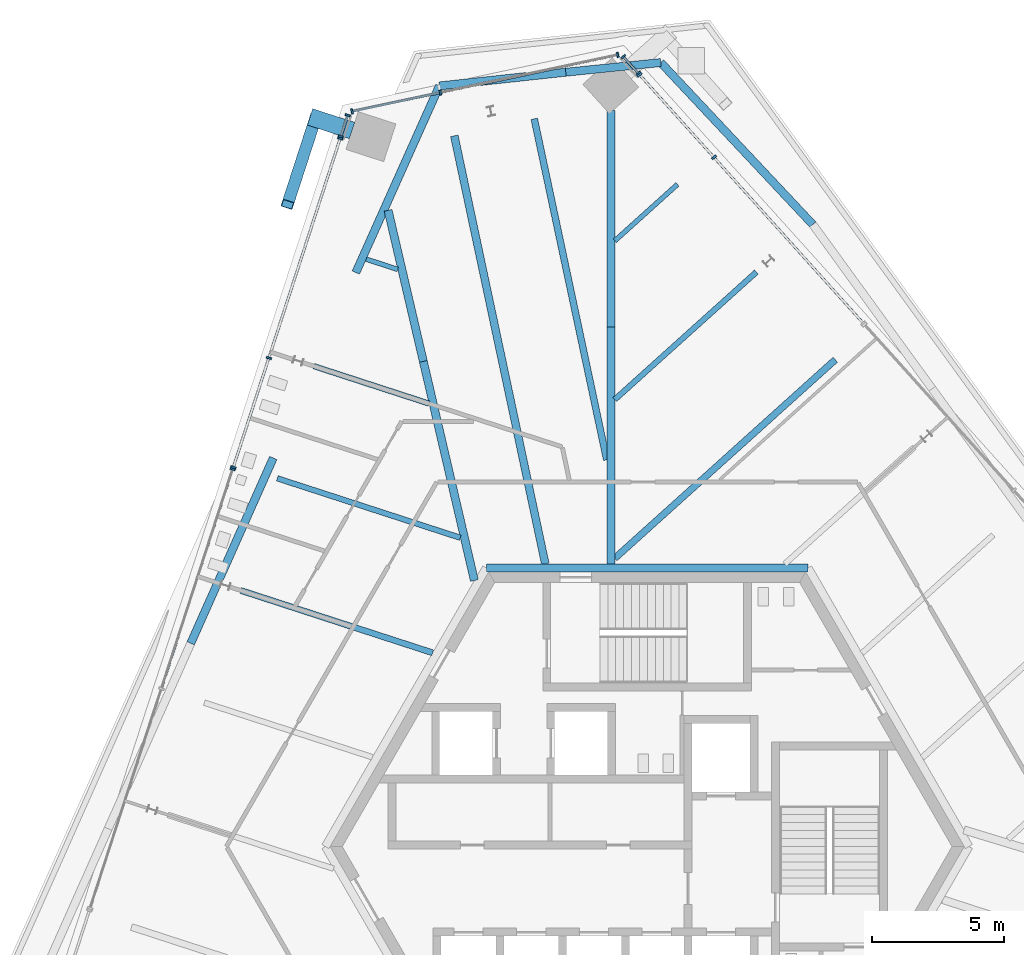
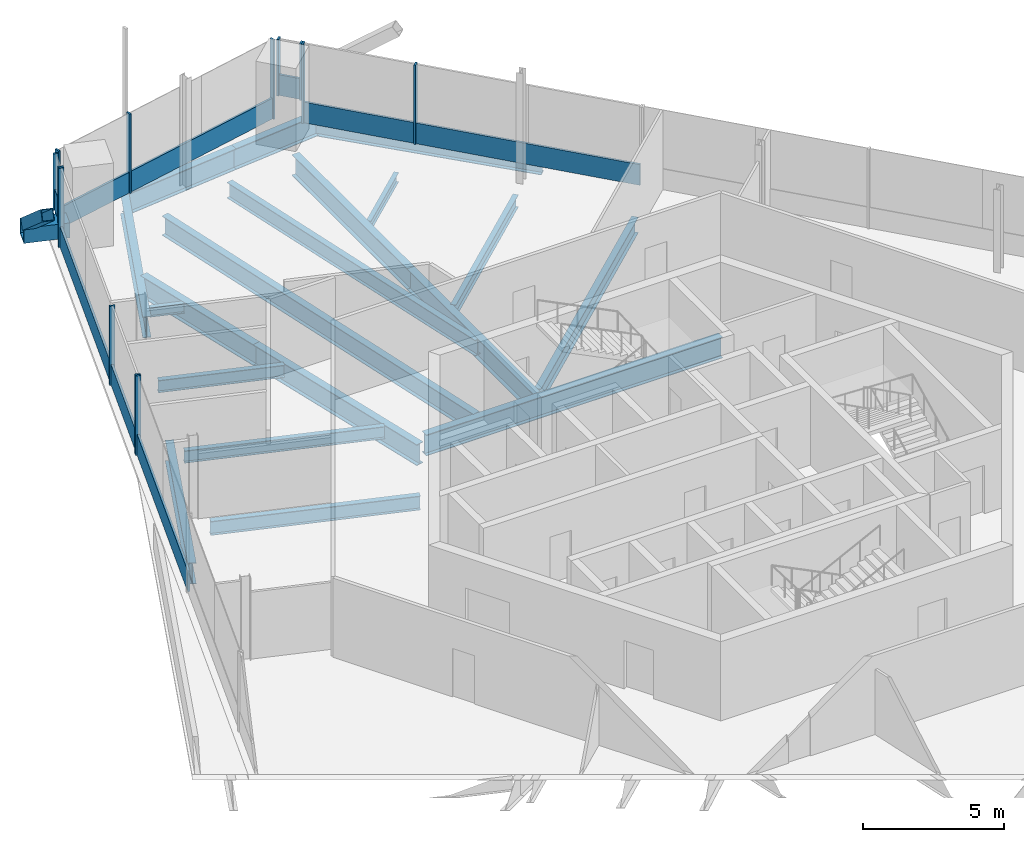
# One storey, part 8 of 20: 24 members, 19 beams, 6 elements without a shape of their own.
"""IFC4 building model written with IfcOpenShell, lengths in metres."""

from ifc_helpers import new_model, si_unit, direction, frame, origin, origin_2d, place, context, subcontext, project, spatial, rectangle, hollow_rectangle, i_section, extrude, source, transform, mapped, material, material_profile, profile_set, type_object, element, aggregate, save


model = new_model("IFC4")

# Units and contexts
model_context = context("Model", 3, precision=1e-05, world=origin(), true_north=direction((0.0, 1.0)))
body_context = subcontext(model_context, "Body", "Model", "MODEL_VIEW")
ifc_project = project(units=[si_unit("LENGTHUNIT", "METRE"), si_unit("AREAUNIT", "SQUARE_METRE"), si_unit("VOLUMEUNIT", "CUBIC_METRE"), si_unit("PLANEANGLEUNIT", "RADIAN"), si_unit("MASSUNIT", "GRAM", prefix="KILO")], contexts=[model_context])

# Site, building, storey
site_placement = place(None, origin())
site = spatial("IfcSite", under=ifc_project, at=site_placement, CompositionType="ELEMENT")
building_placement = place(site_placement, origin())
building = spatial("IfcBuilding", under=site, at=building_placement, Name="Triune Harvest Tower", CompositionType="ELEMENT")
storey_placement = place(building_placement, frame((0.0, 0.0, 259.5)))
storey = spatial("IfcBuildingStorey", under=building, at=storey_placement, Name="L68", CompositionType="ELEMENT", Elevation=259.5)

# Beams
ifc_material_1 = material(Name="Steel ASTM A992 Gr 50", Category="steel")
ifc_material_profile_1 = material_profile(ifc_material_1, i_section(OverallWidth=0.3046875, OverallDepth=0.914306640625, WebThickness=0.0166015625, FlangeThickness=0.02587890625, at=origin_2d()), Name="W36x160")
ifc_profile_set_1 = profile_set([ifc_material_profile_1], Name="Steel ASTM A992 Gr 50")
beam_type_1 = type_object("IfcBeamType", Name="HG-3 Hip girder W36x160", PredefinedType="BEAM", material=ifc_profile_set_1)
beam_1_placement = place(storey_placement, frame((-1.376708984375, 27.86083984375, -0.6171875), z_axis=(0.0, -1.0, 0.0), x_axis=(1.0, 0.0, 0.0)))
element("IfcBeam", 1, at=beam_1_placement, inside=storey, type_object=beam_type_1, Name="beam/L68/HG3", PredefinedType="BEAM", context=body_context, shape_type="SweptSolid", body=[
    extrude(i_section(OverallWidth=0.3046875, OverallDepth=0.914306640625, WebThickness=0.0166015625, FlangeThickness=0.02587890625, at=origin_2d()), origin(), (0.0, 0.0, 1.0), 8.19091796875),
])
beam_2_placement = place(storey_placement, frame((-1.376708984375, 19.669921875, -0.6171875), z_axis=(0.0, -1.0, 0.0), x_axis=(1.0, 0.0, 0.0)))
element("IfcBeam", 2, at=beam_2_placement, inside=storey, type_object=beam_type_1, Name="beam/L68/HG4", PredefinedType="BEAM", context=body_context, shape_type="SweptSolid", body=[
    extrude(i_section(OverallWidth=0.3046875, OverallDepth=0.914306640625, WebThickness=0.0166015625, FlangeThickness=0.02587890625, at=origin_2d()), origin(), (0.0, 0.0, 1.0), 8.972900390625),
])
beam_3_placement = place(storey_placement, frame((-9.80419921875, 24.077880859375, -0.6171875), z_axis=(0.227029850418, -0.973887800016, 0.0), x_axis=(0.973887800016, 0.227029850418, 0.0)))
element("IfcBeam", 3, at=beam_3_placement, inside=storey, type_object=beam_type_1, Name="beam/L68/HG5", PredefinedType="BEAM", context=body_context, shape_type="SweptSolid", body=[
    extrude(i_section(OverallWidth=0.3046875, OverallDepth=0.914306640625, WebThickness=0.0166015625, FlangeThickness=0.02587890625, at=origin_2d()), origin(), (0.0, 0.0, 1.0), 5.87255859375),
])
ifc_material_2 = material(Name="Steel ASTM A992 Gr 50", Category="steel")
ifc_material_profile_2 = material_profile(ifc_material_2, i_section(OverallWidth=0.3046875, OverallDepth=0.914306640625, WebThickness=0.0166015625, FlangeThickness=0.02587890625, at=origin_2d()), Name="W36x160")
ifc_profile_set_2 = profile_set([ifc_material_profile_2], Name="Steel ASTM A992 Gr 50")
beam_type_2 = type_object("IfcBeamType", Name="SB-1 Spandrel beam W36x160", PredefinedType="SPANDREL", material=ifc_profile_set_2)
beam_4_placement = place(storey_placement, frame((6.269287109375, 23.539306640625, -0.6171875), z_axis=(-0.684488501104, 0.729023656582, 0.0), x_axis=(-0.729023656582, -0.684488501104, 0.0)))
element("IfcBeam", 4, at=beam_4_placement, inside=storey, type_object=beam_type_2, Name="beam/L68/WB5", PredefinedType="SPANDREL", context=body_context, shape_type="SweptSolid", body=[
    extrude(i_section(OverallWidth=0.3046875, OverallDepth=0.914306640625, WebThickness=0.0166015625, FlangeThickness=0.02587890625, at=origin_2d()), origin(), (0.0, 0.0, 1.0), 8.409423828125),
])
beam_5_placement = place(storey_placement, frame((0.51318359375, 29.669921875, -0.6171875), z_axis=(-0.994860300316, -0.101257013852, 0.0), x_axis=(0.101257013852, -0.994860300316, 0.0)))
element("IfcBeam", 5, at=beam_5_placement, inside=storey, type_object=beam_type_2, Name="beam/L68/WB6", PredefinedType="SPANDREL", context=body_context, shape_type="SweptSolid", body=[
    extrude(i_section(OverallWidth=0.3046875, OverallDepth=0.914306640625, WebThickness=0.0166015625, FlangeThickness=0.02587890625, at=origin_2d()), origin(), (0.0, 0.0, 1.0), 3.61181640625),
])
beam_6_placement = place(storey_placement, frame((-3.080078125, 29.30419921875, -0.6171875), z_axis=(-0.994169912625, -0.107824787645, 0.0), x_axis=(0.107824787645, -0.994169912625, 0.0)))
element("IfcBeam", 6, at=beam_6_placement, inside=storey, type_object=beam_type_2, Name="beam/L68/WB7", PredefinedType="SPANDREL", context=body_context, shape_type="SweptSolid", body=[
    extrude(i_section(OverallWidth=0.3046875, OverallDepth=0.914306640625, WebThickness=0.0166015625, FlangeThickness=0.02587890625, at=origin_2d()), origin(), (0.0, 0.0, 1.0), 4.8115234375),
])

# Curtain wall, member
ifc_material_3 = material(Name="Aluminium bronze anodised", Category="aluminium")
curtain_wall_type_1 = type_object("IfcCurtainWallType", Name="CW-7 Tower stick curtain wall with insulated spandrel infill", PredefinedType="NOTDEFINED", material=ifc_material_3)
curtain_wall_1_placement = place(storey_placement, origin())
curtain_wall_1 = element("IfcCurtainWall", 7, at=curtain_wall_1_placement, inside=storey, type_object=curtain_wall_type_1, Name="CW-7 B7-F3 L68 run 101")
ifc_material_4 = material(Name="Aluminium bronze anodised", Category="aluminium")
ifc_material_profile_3 = material_profile(ifc_material_4, rectangle(XDim=0.090087890625, YDim=0.89990234375, at=origin_2d()), Name="TR-1 transom 90 x 900")
ifc_profile_set_3 = profile_set([ifc_material_profile_3], Name="Aluminium bronze anodised")
member_type_1 = type_object("IfcMemberType", Name="TR-1 transom 90 x 900", PredefinedType="USERDEFINED", material=ifc_profile_set_3)
member_1_placement = place(storey_placement, frame((-14.32861328125, 18.45458984375, 0.449951171875), z_axis=(-0.308987920763, -0.951065962393, 0.0), x_axis=(0.951065962393, -0.308987920763, 0.0)))
member_1 = element("IfcMember", 8, at=member_1_placement, type_object=member_type_1, Name="CW-7 transom B7-F3 101.2", ObjectType="TRANSOM", PredefinedType="USERDEFINED", context=body_context, shape_type="SweptSolid", body=[
    extrude(rectangle(XDim=0.090087890625, YDim=0.89990234375, at=origin_2d()), origin(), (0.0, 0.0, 1.0), 4.274658203125),
])

# Beams
ifc_material_5 = material(Name="Steel ASTM A992 Gr 50", Category="steel")
ifc_material_profile_4 = material_profile(ifc_material_5, i_section(OverallWidth=0.3046875, OverallDepth=0.914306640625, WebThickness=0.0166015625, FlangeThickness=0.02587890625, at=origin_2d()), Name="W36x160")
ifc_profile_set_4 = profile_set([ifc_material_profile_4], Name="Steel ASTM A992 Gr 50")
beam_type_3 = type_object("IfcBeamType", Name="CG-1 Core ring girder W36x160", PredefinedType="BEAM", material=ifc_profile_set_4)
shared_shape_1 = source(origin(), body_context, "Body", "SweptSolid", [
    extrude(i_section(OverallWidth=0.3046875, OverallDepth=0.914306640625, WebThickness=0.0166015625, FlangeThickness=0.02587890625, at=origin_2d()), origin(), (0.0, 0.0, 1.0), 12.17578125),
])
beam_7_placement = place(storey_placement, frame((6.087890625, 10.544677734375, -0.6171875), z_axis=(-1.0, 0.0, 0.0), x_axis=(0.0, -1.0, 0.0)))
element("IfcBeam", 9, at=beam_7_placement, inside=storey, type_object=beam_type_3, Name="beam/L68/CG2", PredefinedType="BEAM", context=body_context, shape_type="MappedRepresentation", body=[
    mapped(shared_shape_1, transform((0.0, 0.0, 0.0), scale=1.0)),
])
shared_shape_2 = source(origin(), body_context, "Body", "SweptSolid", [
    extrude(i_section(OverallWidth=0.3046875, OverallDepth=0.914306640625, WebThickness=0.0166015625, FlangeThickness=0.02587890625, at=origin_2d()), origin(), (0.0, 0.0, 1.0), 7.679443359375),
])
beam_8_placement = place(storey_placement, frame((-14.149658203125, 14.7060546875, -0.6171875), z_axis=(-0.406746028315, -0.913541279007, 0.0), x_axis=(0.913541279007, -0.406746028315, 0.0)))
element("IfcBeam", 10, at=beam_8_placement, inside=storey, type_object=beam_type_2, Name="beam/L68/WB9", PredefinedType="SPANDREL", context=body_context, shape_type="MappedRepresentation", body=[
    mapped(shared_shape_2, transform((0.0, 0.0, 0.0), scale=1.0)),
])
shared_shape_3 = source(origin(), body_context, "Body", "SweptSolid", [
    extrude(i_section(OverallWidth=0.3046875, OverallDepth=0.914306640625, WebThickness=0.0166015625, FlangeThickness=0.02587890625, at=origin_2d()), origin(), (0.0, 0.0, 1.0), 7.739501953125),
])
beam_9_placement = place(storey_placement, frame((-7.863525390625, 28.785400390625, -0.6171875), z_axis=(-0.408636497157, -0.912697218792, 0.0), x_axis=(0.912697218792, -0.408636497157, 0.0)))
element("IfcBeam", 11, at=beam_9_placement, inside=storey, type_object=beam_type_2, Name="beam/L68/WB8", PredefinedType="SPANDREL", context=body_context, shape_type="MappedRepresentation", body=[
    mapped(shared_shape_3, transform((0.0, 0.0, 0.0), scale=1.0)),
])
shared_shape_4 = source(origin(), body_context, "Body", "SweptSolid", [
    extrude(i_section(OverallWidth=0.3046875, OverallDepth=0.914306640625, WebThickness=0.0166015625, FlangeThickness=0.02587890625, at=origin_2d()), origin(), (0.0, 0.0, 1.0), 8.51171875),
])
beam_10_placement = place(storey_placement, frame((-8.470947265625, 18.358642578125, -0.6171875), z_axis=(0.227022878063, -0.973889425364, 0.0), x_axis=(0.973889425364, 0.227022878063, 0.0)))
element("IfcBeam", 12, at=beam_10_placement, inside=storey, type_object=beam_type_1, Name="beam/L68/HG6", PredefinedType="BEAM", context=body_context, shape_type="MappedRepresentation", body=[
    mapped(shared_shape_4, transform((0.0, 0.0, 0.0), scale=1.0)),
])
ifc_material_6 = material(Name="Steel ASTM A992 Gr 50", Category="steel")
ifc_material_profile_5 = material_profile(ifc_material_6, i_section(OverallWidth=0.180908203125, OverallDepth=0.41650390625, WebThickness=0.010986328125, FlangeThickness=0.01806640625, at=origin_2d()), Name="W16x57")
ifc_profile_set_5 = profile_set([ifc_material_profile_5], Name="Steel ASTM A992 Gr 50")
beam_type_4 = type_object("IfcBeamType", Name="JT-1 Floor joist W16x57", PredefinedType="JOIST", material=ifc_profile_set_5)
shared_shape_5 = source(origin(), body_context, "Body", "SweptSolid", [
    extrude(i_section(OverallWidth=0.180908203125, OverallDepth=0.41650390625, WebThickness=0.010986328125, FlangeThickness=0.01806640625, at=origin_2d()), origin(), (0.0, 0.0, 1.0), 1.253662109375),
])
beam_11_placement = place(storey_placement, frame((-10.6318359375, 22.2294921875, -0.368408203125), z_axis=(0.951051239427, -0.309033234433, 0.0), x_axis=(0.309033234433, 0.951051239427, 0.0)))
element("IfcBeam", 13, at=beam_11_placement, inside=storey, type_object=beam_type_4, Name="beam/L68/JT12", PredefinedType="JOIST", context=body_context, shape_type="MappedRepresentation", body=[
    mapped(shared_shape_5, transform((0.0, 0.0, 0.0), scale=1.0)),
])
ifc_material_7 = material(Name="Steel ASTM A992 Gr 50", Category="steel")
ifc_material_profile_6 = material_profile(ifc_material_7, i_section(OverallWidth=0.2099609375, OverallDepth=0.535888671875, WebThickness=0.010986328125, FlangeThickness=0.017333984375, at=origin_2d()), Name="W21x68")
ifc_profile_set_6 = profile_set([ifc_material_profile_6], Name="Steel ASTM A992 Gr 50")
beam_type_5 = type_object("IfcBeamType", Name="JT-2 Floor joist W21x68", PredefinedType="JOIST", material=ifc_profile_set_6)
shared_shape_6 = source(origin(), body_context, "Body", "SweptSolid", [
    extrude(i_section(OverallWidth=0.2099609375, OverallDepth=0.535888671875, WebThickness=0.010986328125, FlangeThickness=0.017333984375, at=origin_2d()), origin(), (0.0, 0.0, 1.0), 4.58740234375),
])
beam_12_placement = place(storey_placement, frame((-12.61865234375, 18.18115234375, -0.427978515625), z_axis=(0.95106652402, -0.308986192069, 0.0), x_axis=(0.308986192069, 0.95106652402, 0.0)))
element("IfcBeam", 14, at=beam_12_placement, inside=storey, type_object=beam_type_5, Name="beam/L68/JT13", PredefinedType="JOIST", context=body_context, shape_type="MappedRepresentation", body=[
    mapped(shared_shape_6, transform((0.0, 0.0, 0.0), scale=1.0)),
])
ifc_material_8 = material(Name="Steel ASTM A992 Gr 50", Category="steel")
ifc_material_profile_7 = material_profile(ifc_material_8, i_section(OverallWidth=0.253662109375, OverallDepth=0.683349609375, WebThickness=0.012451171875, FlangeThickness=0.01904296875, at=origin_2d()), Name="W27x94")
ifc_profile_set_7 = profile_set([ifc_material_profile_7], Name="Steel ASTM A992 Gr 50")
beam_type_6 = type_object("IfcBeamType", Name="JT-4 Floor joist W27x94", PredefinedType="JOIST", material=ifc_profile_set_7)
shared_shape_7 = source(origin(), body_context, "Body", "SweptSolid", [
    extrude(i_section(OverallWidth=0.253662109375, OverallDepth=0.683349609375, WebThickness=0.012451171875, FlangeThickness=0.01904296875, at=origin_2d()), origin(), (0.0, 0.0, 1.0), 11.22802734375),
])
beam_13_placement = place(storey_placement, frame((7.11962890625, 18.42431640625, -0.501708984375), z_axis=(-0.743146004272, -0.669129297172, 0.0), x_axis=(0.669129297172, -0.743146004272, 0.0)))
element("IfcBeam", 15, at=beam_13_placement, inside=storey, type_object=beam_type_6, Name="beam/L68/JT7", PredefinedType="JOIST", context=body_context, shape_type="MappedRepresentation", body=[
    mapped(shared_shape_7, transform((0.0, 0.0, 0.0), scale=1.0)),
])
shared_shape_8 = source(origin(), body_context, "Body", "SweptSolid", [
    extrude(i_section(OverallWidth=0.2099609375, OverallDepth=0.535888671875, WebThickness=0.010986328125, FlangeThickness=0.017333984375, at=origin_2d()), origin(), (0.0, 0.0, 1.0), 7.208740234375),
])
beam_14_placement = place(storey_placement, frame((4.1328125, 21.74169921875, -0.427978515625), z_axis=(-0.743154356454, -0.669120020985, 0.0), x_axis=(0.669120020985, -0.743154356454, 0.0)))
element("IfcBeam", 16, at=beam_14_placement, inside=storey, type_object=beam_type_5, Name="beam/L68/JT8", PredefinedType="JOIST", context=body_context, shape_type="MappedRepresentation", body=[
    mapped(shared_shape_8, transform((0.0, 0.0, 0.0), scale=1.0)),
])
shared_shape_9 = source(origin(), body_context, "Body", "SweptSolid", [
    extrude(i_section(OverallWidth=0.180908203125, OverallDepth=0.41650390625, WebThickness=0.010986328125, FlangeThickness=0.01806640625, at=origin_2d()), origin(), (0.0, 0.0, 1.0), 3.189208984375),
])
beam_15_placement = place(storey_placement, frame((1.145751953125, 25.05908203125, -0.368408203125), z_axis=(-0.74314948703, -0.669125429144, 0.0), x_axis=(0.669125429144, -0.74314948703, 0.0)))
element("IfcBeam", 17, at=beam_15_placement, inside=storey, type_object=beam_type_4, Name="beam/L68/JT9", PredefinedType="JOIST", context=body_context, shape_type="MappedRepresentation", body=[
    mapped(shared_shape_9, transform((0.0, 0.0, 0.0), scale=1.0)),
])
shared_shape_10 = source(origin(), body_context, "Body", "SweptSolid", [
    extrude(i_section(OverallWidth=0.253662109375, OverallDepth=0.683349609375, WebThickness=0.012451171875, FlangeThickness=0.01904296875, at=origin_2d()), origin(), (0.0, 0.0, 1.0), 13.1953125),
])
beam_16_placement = place(storey_placement, frame((-4.272705078125, 27.540283203125, -0.501708984375), z_axis=(0.207907659199, -0.978148457672, 0.0), x_axis=(0.978148457672, 0.207907659199, 0.0)))
element("IfcBeam", 18, at=beam_16_placement, inside=storey, type_object=beam_type_6, Name="beam/L68/JT10", PredefinedType="JOIST", context=body_context, shape_type="MappedRepresentation", body=[
    mapped(shared_shape_10, transform((0.0, 0.0, 0.0), scale=1.0)),
])
ifc_material_9 = material(Name="Steel ASTM A992 Gr 50", Category="steel")
ifc_material_profile_8 = material_profile(ifc_material_9, i_section(OverallWidth=0.2919921875, OverallDepth=0.8408203125, WebThickness=0.0146484375, FlangeThickness=0.021728515625, at=origin_2d()), Name="W33x130")
ifc_profile_set_8 = profile_set([ifc_material_profile_8], Name="Steel ASTM A992 Gr 50")
beam_type_7 = type_object("IfcBeamType", Name="JT-6 Floor joist W33x130", PredefinedType="JOIST", material=ifc_profile_set_8)
shared_shape_11 = source(origin(), body_context, "Body", "SweptSolid", [
    extrude(i_section(OverallWidth=0.2919921875, OverallDepth=0.8408203125, WebThickness=0.0146484375, FlangeThickness=0.021728515625, at=origin_2d()), origin(), (0.0, 0.0, 1.0), 16.56201171875),
])
beam_17_placement = place(storey_placement, frame((-7.29833984375, 26.897216796875, -0.580322265625), z_axis=(0.207906004109, -0.978148809464, 0.0), x_axis=(0.978148809464, 0.207906004109, 0.0)))
element("IfcBeam", 19, at=beam_17_placement, inside=storey, type_object=beam_type_7, Name="beam/L68/JT11", PredefinedType="JOIST", context=body_context, shape_type="MappedRepresentation", body=[
    mapped(shared_shape_11, transform((0.0, 0.0, 0.0), scale=1.0)),
])
shared_shape_12 = source(origin(), body_context, "Body", "SweptSolid", [
    extrude(i_section(OverallWidth=0.2099609375, OverallDepth=0.535888671875, WebThickness=0.010986328125, FlangeThickness=0.017333984375, at=origin_2d()), origin(), (0.0, 0.0, 1.0), 7.28271484375),
])
beam_18_placement = place(storey_placement, frame((-13.998046875, 13.935791015625, -0.427978515625), z_axis=(0.951056238285, -0.30901785, 0.0), x_axis=(0.30901785, 0.951056238285, 0.0)))
element("IfcBeam", 20, at=beam_18_placement, inside=storey, type_object=beam_type_5, Name="beam/L68/JT14", PredefinedType="JOIST", context=body_context, shape_type="MappedRepresentation", body=[
    mapped(shared_shape_12, transform((0.0, 0.0, 0.0), scale=1.0)),
])
ifc_material_10 = material(Name="Steel ASTM A992 Gr 50", Category="steel")
ifc_material_profile_9 = material_profile(ifc_material_10, i_section(OverallWidth=0.22900390625, OverallDepth=0.612060546875, WebThickness=0.011962890625, FlangeThickness=0.01953125, at=origin_2d()), Name="W24x84")
ifc_profile_set_9 = profile_set([ifc_material_profile_9], Name="Steel ASTM A992 Gr 50")
beam_type_8 = type_object("IfcBeamType", Name="JT-3 Floor joist W24x84", PredefinedType="JOIST", material=ifc_profile_set_9)
shared_shape_13 = source(origin(), body_context, "Body", "SweptSolid", [
    extrude(i_section(OverallWidth=0.22900390625, OverallDepth=0.612060546875, WebThickness=0.011962890625, FlangeThickness=0.01953125, at=origin_2d()), origin(), (0.0, 0.0, 1.0), 7.632080078125),
])
beam_19_placement = place(storey_placement, frame((-15.37744140625, 9.690185546875, -0.466064453125), z_axis=(0.951058278911, -0.30901156955, 0.0), x_axis=(0.30901156955, 0.951058278911, 0.0)))
element("IfcBeam", 21, at=beam_19_placement, inside=storey, type_object=beam_type_8, Name="beam/L68/JT15", PredefinedType="JOIST", context=body_context, shape_type="MappedRepresentation", body=[
    mapped(shared_shape_13, transform((0.0, 0.0, 0.0), scale=1.0)),
])

# Members
ifc_material_11 = material(Name="Steel ASTM A572 Gr 50", Category="steel")
ifc_material_profile_10 = material_profile(ifc_material_11, hollow_rectangle(XDim=0.64990234375, YDim=0.64990234375, WallThickness=0.070068359375, at=origin_2d()), Name="Box 650x650x70")
ifc_profile_set_10 = profile_set([ifc_material_profile_10], Name="Steel ASTM A572 Gr 50")
member_type_2 = type_object("IfcMemberType", Name="BS-1 Brace stub Box 650x650x70", PredefinedType="STRUT", material=ifc_profile_set_10)
shared_shape_14 = source(origin(), body_context, "Body", "SweptSolid", [
    extrude(hollow_rectangle(XDim=0.64990234375, YDim=0.64990234375, WallThickness=0.070068359375, at=origin_2d()), origin(), (0.0, 0.0, 1.0), 1.673095703125),
])
member_2_placement = place(storey_placement, frame((-11.16748046875, 27.09716796875, 0.60009765625), z_axis=(-0.951035141144, 0.309082772586, 0.0), x_axis=(-0.309082772586, -0.951035141144, 0.0)))
element("IfcMember", 22, at=member_2_placement, inside=storey, type_object=member_type_2, Name="brace/B7-F3/stub1", PredefinedType="STRUT", context=body_context, shape_type="MappedRepresentation", body=[
    mapped(shared_shape_14, transform((0.0, 0.0, 0.0), scale=1.0)),
])
ifc_material_12 = material(Name="Steel ASTM A572 Gr 50", Category="steel")
ifc_material_profile_11 = material_profile(ifc_material_12, hollow_rectangle(XDim=0.449951171875, YDim=0.449951171875, WallThickness=0.02490234375, at=origin_2d()), Name="Box 450x450x25")
ifc_profile_set_11 = profile_set([ifc_material_profile_11], Name="Steel ASTM A572 Gr 50")
member_type_3 = type_object("IfcMemberType", Name="BR-4 Brace Box 450x450x25", PredefinedType="BRACE", material=ifc_profile_set_11)
shared_shape_15 = source(origin(), body_context, "Body", "SweptSolid", [
    extrude(hollow_rectangle(XDim=0.449951171875, YDim=0.449951171875, WallThickness=0.02490234375, at=origin_2d()), origin(), (0.0, 0.0, 1.0), 4.358154296875),
])
member_3_placement = place(storey_placement, frame((-12.556396484375, 27.548583984375, 0.889892578125), z_axis=(-0.24200574583, -0.744783886763, 0.621876338996), x_axis=(0.951052466278, -0.309029458768, 0.0)))
element("IfcMember", 23, at=member_3_placement, inside=storey, type_object=member_type_3, Name="brace/B7-F3/d1/1", PredefinedType="BRACE", context=body_context, shape_type="MappedRepresentation", body=[
    mapped(shared_shape_15, transform((0.0, 0.0, 0.0), scale=1.0)),
])

# Curtain wall, members
ifc_material_13 = material(Name="Aluminium bronze anodised", Category="aluminium")
curtain_wall_type_2 = type_object("IfcCurtainWallType", Name="CW-1 Tower stick curtain wall", PredefinedType="NOTDEFINED", material=ifc_material_13)
curtain_wall_2_placement = place(storey_placement, origin())
curtain_wall_2 = element("IfcCurtainWall", 24, at=curtain_wall_2_placement, inside=storey, type_object=curtain_wall_type_2, Name="CW-1 B7-F1 L68 run 201")
ifc_material_14 = material(Name="Aluminium bronze anodised", Category="aluminium")
ifc_material_profile_12 = material_profile(ifc_material_14, rectangle(XDim=0.199951171875, YDim=0.074951171875, at=origin_2d()), Name="MU-1 mullion 75 x 200")
ifc_profile_set_12 = profile_set([ifc_material_profile_12], Name="Aluminium bronze anodised")
member_type_4 = type_object("IfcMemberType", Name="MU-1 mullion 75 x 200", PredefinedType="MULLION", material=ifc_profile_set_12)
shared_shape_16 = source(origin(), body_context, "Body", "SweptSolid", [
    extrude(rectangle(XDim=0.199951171875, YDim=0.074951171875, at=origin_2d()), origin(), (0.0, 0.0, 1.0), 2.454833984375),
])
member_4_placement = place(storey_placement, frame((-0.33740234375, 29.262939453125, 0.985107421875), z_axis=(0.0, 0.0, 1.0), x_axis=(-0.743132293862, -0.669144523866, 0.0)))
member_4 = element("IfcMember", 25, at=member_4_placement, type_object=member_type_4, Name="CW-1 mullion B7-F1 201.1", PredefinedType="MULLION", context=body_context, shape_type="MappedRepresentation", body=[
    mapped(shared_shape_16, transform((0.0, 0.0, 0.0), scale=1.0)),
])
member_5_placement = place(storey_placement, frame((-0.904052734375, 29.892333984375, 0.985107421875), z_axis=(0.0, 0.0, 1.0), x_axis=(-0.743132293862, -0.669144523866, 0.0)))
member_5 = element("IfcMember", 26, at=member_5_placement, type_object=member_type_4, Name="CW-1 mullion B7-F1 201.2", PredefinedType="MULLION", context=body_context, shape_type="MappedRepresentation", body=[
    mapped(shared_shape_16, transform((0.0, 0.0, 0.0), scale=1.0)),
])

curtain_wall_3_placement = place(storey_placement, origin())
curtain_wall_3 = element("IfcCurtainWall", 27, at=curtain_wall_3_placement, inside=storey, type_object=curtain_wall_type_2, Name="CW-1 B7-F3 L68 run 1")
member_6_placement = place(storey_placement, frame((-11.332275390625, 27.67578125, 0.985107421875), z_axis=(0.0, 0.0, 1.0), x_axis=(0.951042837496, -0.309059090221, 0.0)))
member_6 = element("IfcMember", 28, at=member_6_placement, type_object=member_type_4, Name="CW-1 mullion B7-F3 1.1", PredefinedType="MULLION", context=body_context, shape_type="MappedRepresentation", body=[
    mapped(shared_shape_16, transform((0.0, 0.0, 0.0), scale=1.0)),
])
member_7_placement = place(storey_placement, frame((-11.593994140625, 26.870361328125, 0.985107421875), z_axis=(0.0, 0.0, 1.0), x_axis=(0.951042837496, -0.309059090221, 0.0)))
member_7 = element("IfcMember", 29, at=member_7_placement, type_object=member_type_4, Name="CW-1 mullion B7-F3 1.2", PredefinedType="MULLION", context=body_context, shape_type="MappedRepresentation", body=[
    mapped(shared_shape_16, transform((0.0, 0.0, 0.0), scale=1.0)),
])

curtain_wall_4_placement = place(storey_placement, origin())
curtain_wall_4 = element("IfcCurtainWall", 30, at=curtain_wall_4_placement, inside=storey, type_object=curtain_wall_type_1, Name="CW-7 B7-F1 L68 run 2101")
shared_shape_17 = source(origin(), body_context, "Body", "SweptSolid", [
    extrude(rectangle(XDim=0.199951171875, YDim=0.074951171875, at=origin_2d()), origin(), (0.0, 0.0, 1.0), 3.43994140625),
])
member_8_placement = place(storey_placement, frame((2.525146484375, 26.08349609375, 0.0), z_axis=(0.0, 0.0, 1.0), x_axis=(-0.743143654341, -0.669131907035, 0.0)))
member_8 = element("IfcMember", 31, at=member_8_placement, type_object=member_type_4, Name="CW-7 mullion B7-F1 2101.3", PredefinedType="MULLION", context=body_context, shape_type="MappedRepresentation", body=[
    mapped(shared_shape_17, transform((0.0, 0.0, 0.0), scale=1.0)),
])
member_9_placement = place(storey_placement, frame((-0.287353515625, 29.207275390625, 0.0), z_axis=(0.0, 0.0, 1.0), x_axis=(-0.743143654341, -0.669131907035, 0.0)))
member_9 = element("IfcMember", 32, at=member_9_placement, type_object=member_type_4, Name="CW-7 mullion B7-F1 2101.4", PredefinedType="MULLION", context=body_context, shape_type="MappedRepresentation", body=[
    mapped(shared_shape_17, transform((0.0, 0.0, 0.0), scale=1.0)),
])

curtain_wall_5_placement = place(storey_placement, origin())
curtain_wall_5 = element("IfcCurtainWall", 33, at=curtain_wall_5_placement, inside=storey, type_object=curtain_wall_type_2, Name="CW-1 B7-F2 L68 run 1")
member_10_placement = place(storey_placement, frame((-1.114013671875, 29.96044921875, 0.0), z_axis=(0.0, 0.0, 1.0), x_axis=(0.207904739307, -0.978149078297, 0.0)))
member_10 = element("IfcMember", 34, at=member_10_placement, type_object=member_type_4, Name="CW-1 mullion B7-F2 1.1", PredefinedType="MULLION", context=body_context, shape_type="MappedRepresentation", body=[
    mapped(shared_shape_17, transform((0.0, 0.0, 0.0), scale=1.0)),
])
member_11_placement = place(storey_placement, frame((-7.8291015625, 28.533203125, 0.0), z_axis=(0.0, 0.0, 1.0), x_axis=(0.207904739307, -0.978149078297, 0.0)))
member_11 = element("IfcMember", 35, at=member_11_placement, type_object=member_type_4, Name="CW-1 mullion B7-F2 1.3", PredefinedType="MULLION", context=body_context, shape_type="MappedRepresentation", body=[
    mapped(shared_shape_17, transform((0.0, 0.0, 0.0), scale=1.0)),
])
member_12_placement = place(storey_placement, frame((-11.168212890625, 27.823486328125, 0.0), z_axis=(0.0, 0.0, 1.0), x_axis=(0.207904739307, -0.978149078297, 0.0)))
member_12 = element("IfcMember", 36, at=member_12_placement, type_object=member_type_4, Name="CW-1 mullion B7-F2 1.4", PredefinedType="MULLION", context=body_context, shape_type="MappedRepresentation", body=[
    mapped(shared_shape_17, transform((0.0, 0.0, 0.0), scale=1.0)),
])

# Member
member_13_placement = place(storey_placement, frame((-11.6171875, 26.799072265625, 0.0), z_axis=(0.0, 0.0, 1.0), x_axis=(0.951055508146, -0.309020097121, 0.0)))
member_13 = element("IfcMember", 37, at=member_13_placement, type_object=member_type_4, Name="CW-7 mullion B7-F3 101.1", PredefinedType="MULLION", context=body_context, shape_type="MappedRepresentation", body=[
    mapped(shared_shape_17, transform((0.0, 0.0, 0.0), scale=1.0)),
])

member_14_placement = place(storey_placement, frame((-14.31689453125, 18.490234375, 0.0), z_axis=(0.0, 0.0, 1.0), x_axis=(0.951055508146, -0.309020097121, 0.0)))
member_14 = element("IfcMember", 38, at=member_14_placement, type_object=member_type_4, Name="CW-7 mullion B7-F3 101.3", PredefinedType="MULLION", context=body_context, shape_type="MappedRepresentation", body=[
    mapped(shared_shape_17, transform((0.0, 0.0, 0.0), scale=1.0)),
])

member_15_placement = place(storey_placement, frame((-15.6611328125, 14.353515625, 0.0), z_axis=(0.0, 0.0, 1.0), x_axis=(0.951055508146, -0.309020097121, 0.0)))
member_15 = element("IfcMember", 39, at=member_15_placement, type_object=member_type_4, Name="CW-7 mullion B7-F3 101.4", PredefinedType="MULLION", context=body_context, shape_type="MappedRepresentation", body=[
    mapped(shared_shape_17, transform((0.0, 0.0, 0.0), scale=1.0)),
])

# Curtain wall, member
curtain_wall_6_placement = place(storey_placement, origin())
curtain_wall_6 = element("IfcCurtainWall", 40, at=curtain_wall_6_placement, inside=storey, type_object=curtain_wall_type_2, Name="CW-1 B7-F3 L68 run 1101")
member_16_placement = place(storey_placement, frame((-15.68408203125, 14.2822265625, 0.0), z_axis=(0.0, 0.0, 1.0), x_axis=(0.951057350241, -0.309014427743, 0.0)))
member_16 = element("IfcMember", 41, at=member_16_placement, type_object=member_type_4, Name="CW-1 mullion B7-F3 1101.1", PredefinedType="MULLION", context=body_context, shape_type="MappedRepresentation", body=[
    mapped(shared_shape_17, transform((0.0, 0.0, 0.0), scale=1.0)),
])

# Member
shared_shape_18 = source(origin(), body_context, "Body", "SweptSolid", [
    extrude(rectangle(XDim=0.090087890625, YDim=0.89990234375, at=origin_2d()), origin(), (0.0, 0.0, 1.0), 8.368896484375),
])
member_17_placement = place(storey_placement, frame((8.150390625, 19.83642578125, 0.449951171875), z_axis=(-0.669148446738, 0.74312876154, 0.0), x_axis=(-0.74312876154, -0.669148446738, 0.0)))
member_17 = element("IfcMember", 42, at=member_17_placement, type_object=member_type_1, Name="CW-7 transom B7-F1 2101.1", ObjectType="TRANSOM", PredefinedType="USERDEFINED", context=body_context, shape_type="MappedRepresentation", body=[
    mapped(shared_shape_18, transform((0.0, 0.0, 0.0), scale=1.0)),
])

shared_shape_19 = source(origin(), body_context, "Body", "SweptSolid", [
    extrude(rectangle(XDim=0.090087890625, YDim=0.89990234375, at=origin_2d()), origin(), (0.0, 0.0, 1.0), 4.12841796875),
])
member_18_placement = place(storey_placement, frame((2.500244140625, 26.111572265625, 0.449951171875), z_axis=(-0.669147680083, 0.743129451872, 0.0), x_axis=(-0.743129451872, -0.669147680083, 0.0)))
member_18 = element("IfcMember", 43, at=member_18_placement, type_object=member_type_1, Name="CW-7 transom B7-F1 2101.2", ObjectType="TRANSOM", PredefinedType="USERDEFINED", context=body_context, shape_type="MappedRepresentation", body=[
    mapped(shared_shape_19, transform((0.0, 0.0, 0.0), scale=1.0)),
])

aggregate(curtain_wall_4, [member_8, member_9, member_17, member_18])

shared_shape_20 = source(origin(), body_context, "Body", "SweptSolid", [
    extrude(rectangle(XDim=0.090087890625, YDim=0.89990234375, at=origin_2d()), origin(), (0.0, 0.0, 1.0), 0.771728515625),
])
member_19_placement = place(storey_placement, frame((-0.362548828125, 29.290771484375, 1.43505859375), z_axis=(-0.669122027567, 0.743152549766, 0.0), x_axis=(-0.743152549766, -0.669122027567, 0.0)))
member_19 = element("IfcMember", 44, at=member_19_placement, type_object=member_type_1, Name="CW-1 transom B7-F1 201.1", ObjectType="TRANSOM", PredefinedType="USERDEFINED", context=body_context, shape_type="MappedRepresentation", body=[
    mapped(shared_shape_20, transform((0.0, 0.0, 0.0), scale=1.0)),
])

aggregate(curtain_wall_2, [member_4, member_5, member_19])

shared_shape_21 = source(origin(), body_context, "Body", "SweptSolid", [
    extrude(rectangle(XDim=0.090087890625, YDim=0.89990234375, at=origin_2d()), origin(), (0.0, 0.0, 1.0), 6.7900390625),
])
member_20_placement = place(storey_placement, frame((-1.15087890625, 29.95263671875, 0.449951171875), z_axis=(-0.978150442975, -0.207898318677, 0.0), x_axis=(0.207898318677, -0.978150442975, 0.0)))
member_20 = element("IfcMember", 45, at=member_20_placement, type_object=member_type_1, Name="CW-1 transom B7-F2 1.1", ObjectType="TRANSOM", PredefinedType="USERDEFINED", context=body_context, shape_type="MappedRepresentation", body=[
    mapped(shared_shape_21, transform((0.0, 0.0, 0.0), scale=1.0)),
])

shared_shape_22 = source(origin(), body_context, "Body", "SweptSolid", [
    extrude(rectangle(XDim=0.090087890625, YDim=0.89990234375, at=origin_2d()), origin(), (0.0, 0.0, 1.0), 3.3388671875),
])
member_21_placement = place(storey_placement, frame((-7.86572265625, 28.525390625, 0.449951171875), z_axis=(-0.978153089547, -0.207885866306, 0.0), x_axis=(0.207885866306, -0.978153089547, 0.0)))
member_21 = element("IfcMember", 46, at=member_21_placement, type_object=member_type_1, Name="CW-1 transom B7-F2 1.2", ObjectType="TRANSOM", PredefinedType="USERDEFINED", context=body_context, shape_type="MappedRepresentation", body=[
    mapped(shared_shape_22, transform((0.0, 0.0, 0.0), scale=1.0)),
])

aggregate(curtain_wall_5, [member_10, member_11, member_12, member_20, member_21])

shared_shape_23 = source(origin(), body_context, "Body", "SweptSolid", [
    extrude(rectangle(XDim=0.090087890625, YDim=0.89990234375, at=origin_2d()), origin(), (0.0, 0.0, 1.0), 0.77197265625),
])
member_22_placement = place(storey_placement, frame((-11.343994140625, 27.64013671875, 1.43505859375), z_axis=(-0.309007403089, -0.951059632639, 0.0), x_axis=(0.951059632639, -0.309007403089, 0.0)))
member_22 = element("IfcMember", 47, at=member_22_placement, type_object=member_type_1, Name="CW-1 transom B7-F3 1.1", ObjectType="TRANSOM", PredefinedType="USERDEFINED", context=body_context, shape_type="MappedRepresentation", body=[
    mapped(shared_shape_23, transform((0.0, 0.0, 0.0), scale=1.0)),
])

aggregate(curtain_wall_3, [member_6, member_7, member_22])

shared_shape_24 = source(origin(), body_context, "Body", "SweptSolid", [
    extrude(rectangle(XDim=0.090087890625, YDim=0.89990234375, at=origin_2d()), origin(), (0.0, 0.0, 1.0), 8.66162109375),
])
member_23_placement = place(storey_placement, frame((-11.628662109375, 26.763427734375, 0.449951171875), z_axis=(-0.309039545504, -0.951049188694, 0.0), x_axis=(0.951049188694, -0.309039545504, 0.0)))
member_23 = element("IfcMember", 48, at=member_23_placement, type_object=member_type_1, Name="CW-7 transom B7-F3 101.1", ObjectType="TRANSOM", PredefinedType="USERDEFINED", context=body_context, shape_type="MappedRepresentation", body=[
    mapped(shared_shape_24, transform((0.0, 0.0, 0.0), scale=1.0)),
])

aggregate(curtain_wall_1, [member_13, member_14, member_15, member_23, member_1])

shared_shape_25 = source(origin(), body_context, "Body", "SweptSolid", [
    extrude(rectangle(XDim=0.090087890625, YDim=0.89990234375, at=origin_2d()), origin(), (0.0, 0.0, 1.0), 8.661376953125),
])
member_24_placement = place(storey_placement, frame((-15.69580078125, 14.24658203125, 0.449951171875), z_axis=(-0.309014050407, -0.951057472843, 0.0), x_axis=(0.951057472843, -0.309014050407, 0.0)))
member_24 = element("IfcMember", 49, at=member_24_placement, type_object=member_type_1, Name="CW-1 transom B7-F3 1101.1", ObjectType="TRANSOM", PredefinedType="USERDEFINED", context=body_context, shape_type="MappedRepresentation", body=[
    mapped(shared_shape_25, transform((0.0, 0.0, 0.0), scale=1.0)),
])

aggregate(curtain_wall_6, [member_16, member_24])

save(model, "model.ifc")
